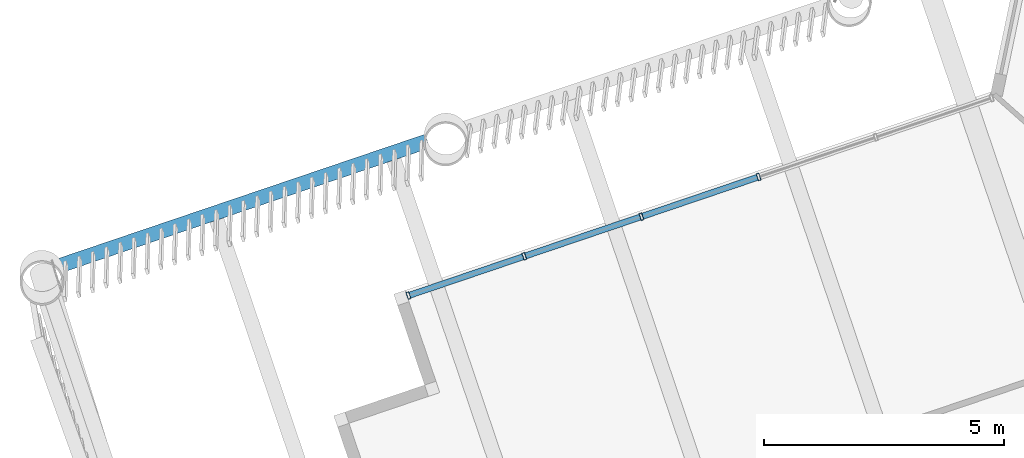
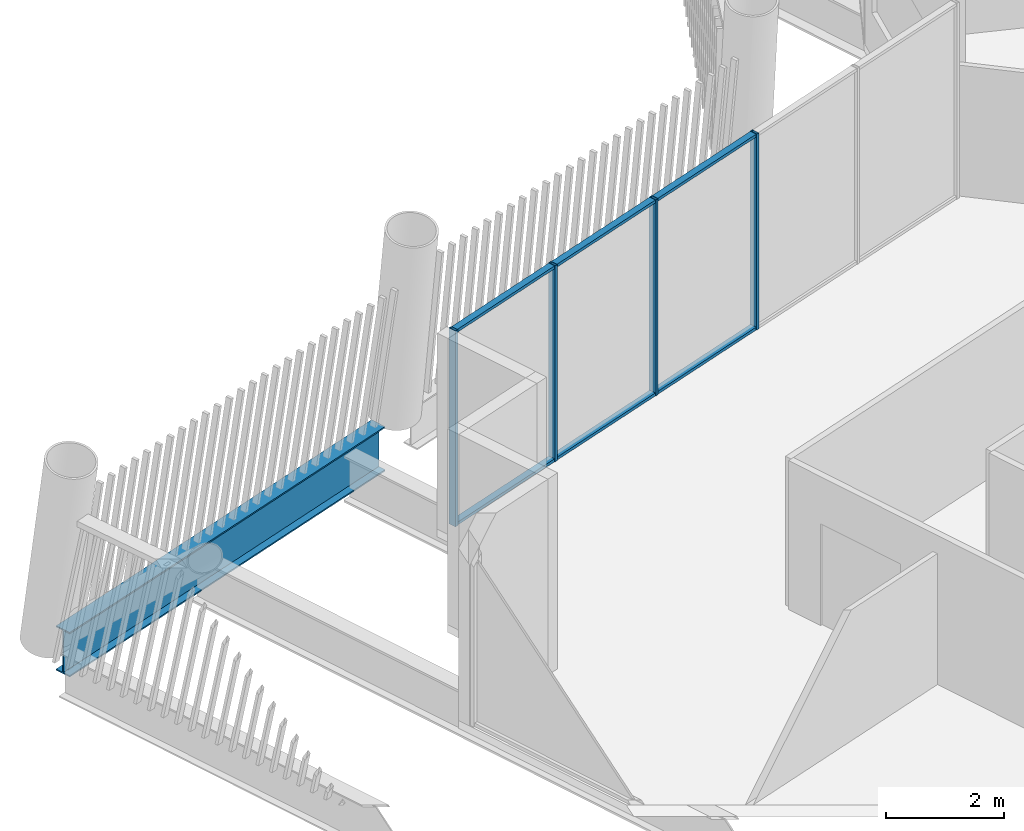
# One storey, part 11 of 35: 10 members, 1 beam, 1 element without a shape of its own.
"""IFC4 building model written with IfcOpenShell, lengths in metres."""

import ifcopenshell
import ifcopenshell.guid

model = None  # the IFC model being written
_history = None  # IfcOwnerHistory: only IFC2X3 demands one
_inside = {}  # id of a spatial element -> (the spatial element, [elements in it])
_under = {}  # id of a project, library or spatial element -> (it, [spatial elements below it])
_declared = {}  # id of a project -> (the project, [libraries it declares])
_typed = {}  # id of a type object -> (the type object, [elements of that type])
_made_of = {}  # id of a material, layer set ... -> (it, [elements and type objects made of it])


def new_model(schema):
    """Start an empty IFC model of exactly this schema.

    Asked for "IFC4X3", IfcOpenShell would pick the latest addendum, in which some entities
    have other attributes; the version numbers below select the first issue.
    IFC2X3 requires an IfcOwnerHistory on every rooted entity: one is made here for all.
    """
    global model, _history
    if schema == "IFC4X3":
        model = ifcopenshell.file(schema_version=(4, 3, 0, 0))
    else:
        model = ifcopenshell.file(schema=schema)
    _inside.clear()
    _under.clear()
    _declared.clear()
    _typed.clear()
    _made_of.clear()
    _history = None
    if model.schema == "IFC2X3":
        org = make("IfcOrganization", Name="unknown")
        user = make(
            "IfcPersonAndOrganization",
            ThePerson=make("IfcPerson", FamilyName="unknown"),
            TheOrganization=org,
        )
        app = make(
            "IfcApplication",
            ApplicationDeveloper=org,
            Version="unknown",
            ApplicationFullName="unknown",
            ApplicationIdentifier="unknown",
        )
        _history = make(
            "IfcOwnerHistory",
            OwningUser=user,
            OwningApplication=app,
            ChangeAction="ADDED",
            CreationDate=0,
        )
    return model


def make(cls, **values):
    """One entity of the class cls with the attributes given. An attribute that is None is left unset."""
    return model.create_entity(
        cls, **{name: value for name, value in values.items() if value is not None}
    )


def rooted(cls, **values):
    """An entity with a GlobalId (a new one), such as an element, a storey or a relation."""
    return make(cls, GlobalId=ifcopenshell.guid.new(), OwnerHistory=_history, **values)


def si_unit(unit_type, name, prefix=None):
    """IfcSIUnit, for example si_unit("LENGTHUNIT", "METRE", prefix="MILLI")."""
    return make("IfcSIUnit", UnitType=unit_type, Prefix=prefix, Name=name)


def assignment(units):
    """IfcUnitAssignment: the units of a project."""
    return None if units is None else make("IfcUnitAssignment", Units=units)


def point(xyz):
    """IfcCartesianPoint."""
    return None if xyz is None else make("IfcCartesianPoint", Coordinates=xyz)


def direction(xyz):
    """IfcDirection."""
    return None if xyz is None else make("IfcDirection", DirectionRatios=xyz)


def frame(location, z_axis=None, x_axis=None):
    """IfcAxis2Placement3D, a coordinate frame: its origin and axes. An axis left out is left unset."""
    return make(
        "IfcAxis2Placement3D",
        Location=point(location),
        Axis=direction(z_axis),
        RefDirection=direction(x_axis),
    )


def frame_2d(location, x_axis=None):
    """IfcAxis2Placement2D, a coordinate frame in the plane: its origin and x axis."""
    return make(
        "IfcAxis2Placement2D", Location=point(location), RefDirection=direction(x_axis)
    )


def origin():
    """The frame at (0, 0, 0) with its axes left unset."""
    return frame((0.0, 0.0, 0.0))


def origin_2d():
    """The frame at (0, 0) in the plane with its x axis left unset."""
    return frame_2d((0.0, 0.0))


def place(relative_to, where):
    """IfcLocalPlacement: puts the frame where relative to a parent placement (None: the world)."""
    return make(
        "IfcLocalPlacement", PlacementRelTo=relative_to, RelativePlacement=where
    )


def context(
    kind, dimensions, precision=None, world=None, true_north=None, identifier=None
):
    """IfcGeometricRepresentationContext, for example the 3D "Model" context."""
    return make(
        "IfcGeometricRepresentationContext",
        ContextIdentifier=identifier,
        ContextType=kind,
        CoordinateSpaceDimension=dimensions,
        Precision=precision,
        WorldCoordinateSystem=world,
        TrueNorth=true_north,
    )


def subcontext(parent, identifier, kind, view, scale=None):
    """IfcGeometricRepresentationSubContext, for example "Body" below "Model"."""
    return make(
        "IfcGeometricRepresentationSubContext",
        ContextIdentifier=identifier,
        ContextType=kind,
        ParentContext=parent,
        TargetScale=scale,
        TargetView=view,
    )


def project(units=None, contexts=None):
    """IfcProject with its units and contexts."""
    return rooted(
        "IfcProject",
        Name="project",
        RepresentationContexts=contexts,
        UnitsInContext=assignment(units),
    )


def spatial(cls, under=None, at=None, **own):
    """A site, building, storey or space (cls), placed at a placement, below another one or the project."""
    s = rooted(cls, ObjectPlacement=at, **own)
    if under is not None:
        _under.setdefault(under.id(), (under, []))[1].append(s)
    return s


def profile(cls, at=None, kind="AREA", **sizes):
    """A parametric profile (cls). Its sizes go by their IFC names, for example OverallWidth=200.0."""
    return make(cls, ProfileType=kind, Position=at, **sizes)


def hollow_rectangle(**sizes):
    """IfcRectangleHollowProfileDef."""
    return profile("IfcRectangleHollowProfileDef", **sizes)


def i_section(**sizes):
    """IfcIShapeProfileDef."""
    return profile("IfcIShapeProfileDef", **sizes)


def extrude(swept, where, along, depth):
    """IfcExtrudedAreaSolid: the profile swept, set in the frame where, extruded along a direction by depth."""
    return make(
        "IfcExtrudedAreaSolid",
        SweptArea=swept,
        Position=where,
        ExtrudedDirection=direction(along),
        Depth=depth,
    )


def shape(context_of_items, identifier, shape_type, items):
    """IfcShapeRepresentation: the items that make up one representation, for example the "Body"."""
    return make(
        "IfcShapeRepresentation",
        ContextOfItems=context_of_items,
        RepresentationIdentifier=identifier,
        RepresentationType=shape_type,
        Items=items,
    )


def material(Name=None, Category=None):
    """IfcMaterial."""
    return make("IfcMaterial", Name=Name, Category=Category)


def layer(
    of_material, thickness, ventilated=None, Name=None, Category=None, Priority=None
):
    """IfcMaterialLayer: one layer of a wall or slab, of a material (None: an air gap)."""
    return make(
        "IfcMaterialLayer",
        Material=of_material,
        LayerThickness=thickness,
        IsVentilated=ventilated,
        Name=Name,
        Category=Category,
        Priority=Priority,
    )


def layer_set(layers, Name=None):
    """IfcMaterialLayerSet."""
    return make("IfcMaterialLayerSet", MaterialLayers=layers, LayerSetName=Name)


def material_profile(
    of_material, cross_section, Name=None, Category=None, Priority=None
):
    """IfcMaterialProfile: a cross section and its material."""
    return make(
        "IfcMaterialProfile",
        Name=Name,
        Material=of_material,
        Profile=cross_section,
        Priority=Priority,
        Category=Category,
    )


def profile_set(profiles, Name=None, composite=None):
    """IfcMaterialProfileSet."""
    return make(
        "IfcMaterialProfileSet",
        Name=Name,
        MaterialProfiles=profiles,
        CompositeProfile=composite,
    )


def made_of(thing, what):
    """Note that an element or type object is made of a material, layer set ...; save() writes the relation."""
    if what is not None:
        _made_of.setdefault(what.id(), (what, []))[1].append(thing)
    return thing


def type_object(cls, material=None, **own):
    """A type object (cls), such as IfcWallType, which elements share."""
    return made_of(rooted(cls, **own), material)


def element(
    cls,
    number,
    at=None,
    inside=None,
    cuts=None,
    type_object=None,
    material=None,
    context=None,
    identifier="Body",
    shape_type=None,
    held_by="IfcProductDefinitionShape",
    body=None,
    shapes=None,
    **own,
):
    """One element of the class cls, such as IfcWall. Its Tag is "e" and its number.

    at: its placement. inside: the storey or other place that contains it. cuts: it is an
    opening in that element (IfcRelVoidsElement). A single representation is given by context,
    identifier, shape_type and body (its items); several are given by shapes. held_by: the class
    of the entity that holds the representations. save() writes the other relations.
    """
    e = rooted(cls, Tag="e%d" % number, ObjectPlacement=at, **own)
    if body is not None:
        shapes = [shape(context, identifier, shape_type, body)]
    if shapes is not None:
        e.Representation = make(held_by, Representations=shapes)
    if inside is not None:
        _inside.setdefault(inside.id(), (inside, []))[1].append(e)
    if cuts is not None:
        rooted(
            "IfcRelVoidsElement", RelatingBuildingElement=cuts, RelatedOpeningElement=e
        )
    if type_object is not None:
        _typed.setdefault(type_object.id(), (type_object, []))[1].append(e)
    return made_of(e, material)


def aggregate(whole, parts):
    """IfcRelAggregates: a whole, such as a stair, and the parts it consists of."""
    return rooted("IfcRelAggregates", RelatingObject=whole, RelatedObjects=parts)


def save(model, path):
    """Write the relations noted so far, then the file.

    IfcRelAggregates (storeys below a building ...), IfcRelContainedInSpatialStructure (elements
    in a storey), IfcRelDefinesByType, IfcRelAssociatesMaterial and IfcRelDeclares: one each for
    every whole, place, type object, material and project.
    """
    for whole, parts in _under.values():
        aggregate(whole, parts)
    for where, things in _inside.values():
        rooted(
            "IfcRelContainedInSpatialStructure",
            RelatedElements=things,
            RelatingStructure=where,
        )
    for kind, things in _typed.values():
        rooted("IfcRelDefinesByType", RelatedObjects=things, RelatingType=kind)
    for what, things in _made_of.values():
        rooted("IfcRelAssociatesMaterial", RelatedObjects=things, RelatingMaterial=what)
    for by, libraries in _declared.values():
        rooted("IfcRelDeclares", RelatingContext=by, RelatedDefinitions=libraries)
    model.write(path)


model = new_model("IFC4")

# Units and contexts
model_context = context("Model", 3, precision=1e-05, world=origin(), true_north=direction((0.0, 1.0)))
body_context = subcontext(model_context, "Body", "Model", "MODEL_VIEW")
ifc_project = project(units=[si_unit("LENGTHUNIT", "METRE"), si_unit("AREAUNIT", "SQUARE_METRE"), si_unit("VOLUMEUNIT", "CUBIC_METRE"), si_unit("PLANEANGLEUNIT", "RADIAN"), si_unit("MASSUNIT", "GRAM", prefix="KILO")], contexts=[model_context])

# Site, building, storey
site_placement = place(None, origin())
site = spatial("IfcSite", under=ifc_project, at=site_placement, CompositionType="ELEMENT")
building_placement = place(site_placement, origin())
building = spatial("IfcBuilding", under=site, at=building_placement, Name="Tarsis Ring Headquarters", CompositionType="ELEMENT")
storey_placement = place(building_placement, frame((0.0, 0.0, 360.800048828125)))
storey = spatial("IfcBuildingStorey", under=building, at=storey_placement, Name="L85", CompositionType="ELEMENT", Elevation=360.800048828125)

# Curtain wall, members
ifc_material_1 = material(Name="Aluminium curtain wall", Category="aluminium")
ifc_layer = layer(ifc_material_1, 0.14990234375)
ifc_layer_set = layer_set([ifc_layer], Name="Curtain wall tower unit")
curtain_wall_type = type_object("IfcCurtainWallType", Name="Curtain wall tower unit", PredefinedType="NOTDEFINED", material=ifc_layer_set)
curtain_wall_placement = place(storey_placement, origin())
curtain_wall = element("IfcCurtainWall", 1, at=curtain_wall_placement, inside=storey, type_object=curtain_wall_type, Name="Curtain wall L85-31", PredefinedType="NOTDEFINED")
ifc_material_2 = material(Name="Aluminium mullion", Category="aluminium")
ifc_material_profile_1 = material_profile(ifc_material_2, hollow_rectangle(XDim=0.14990234375, YDim=0.06005859375, WallThickness=0.0048828125, at=origin_2d()), Name="RHS 150x60x5")
ifc_profile_set_1 = profile_set([ifc_material_profile_1], Name="Aluminium mullion")
member_type_1 = type_object("IfcMemberType", Name="Curtain wall mullion tower unit RHS 150x60x5", PredefinedType="MULLION", material=ifc_profile_set_1)
member_1_placement = place(storey_placement, frame((-30.338623046875, 2.25732421875, 0.0), z_axis=(0.0, 0.0, 1.0), x_axis=(0.320943632718, -0.947098297231, 0.0)))
member_1 = element("IfcMember", 2, at=member_1_placement, type_object=member_type_1, Name="CW-T mullion 3", PredefinedType="MULLION", context=body_context, shape_type="SweptSolid", body=[
    extrude(hollow_rectangle(XDim=0.14990234375, YDim=0.06005859375, WallThickness=0.0048828125, at=origin_2d()), origin(), (0.0, 0.0, 1.0), 4.0400390625),
])
member_2_placement = place(storey_placement, frame((-32.782470703125, 1.42919921875, 0.0), z_axis=(0.0, 0.0, 1.0), x_axis=(0.320943632718, -0.947098297231, 0.0)))
member_2 = element("IfcMember", 3, at=member_2_placement, type_object=member_type_1, Name="CW-T mullion 4", PredefinedType="MULLION", context=body_context, shape_type="SweptSolid", body=[
    extrude(hollow_rectangle(XDim=0.14990234375, YDim=0.06005859375, WallThickness=0.0048828125, at=origin_2d()), origin(), (0.0, 0.0, 1.0), 4.0400390625),
])
member_3_placement = place(storey_placement, frame((-35.226318359375, 0.60107421875, 0.0), z_axis=(0.0, 0.0, 1.0), x_axis=(0.320943632718, -0.947098297231, 0.0)))
member_3 = element("IfcMember", 4, at=member_3_placement, type_object=member_type_1, Name="CW-T mullion 5", PredefinedType="MULLION", context=body_context, shape_type="SweptSolid", body=[
    extrude(hollow_rectangle(XDim=0.14990234375, YDim=0.06005859375, WallThickness=0.0048828125, at=origin_2d()), origin(), (0.0, 0.0, 1.0), 4.0400390625),
])
member_4_placement = place(storey_placement, frame((-37.6416015625, -0.21728515625, 0.0), z_axis=(0.0, 0.0, 1.0), x_axis=(0.320943632718, -0.947098297231, 0.0)))
member_4 = element("IfcMember", 5, at=member_4_placement, type_object=member_type_1, Name="CW-T mullion 6", PredefinedType="MULLION", context=body_context, shape_type="SweptSolid", body=[
    extrude(hollow_rectangle(XDim=0.14990234375, YDim=0.06005859375, WallThickness=0.0048828125, at=origin_2d()), origin(), (0.0, 0.0, 1.0), 4.0400390625),
])
ifc_material_3 = material(Name="Aluminium transom", Category="aluminium")
ifc_material_profile_2 = material_profile(ifc_material_3, hollow_rectangle(XDim=0.1298828125, YDim=0.06005859375, WallThickness=0.0048828125, at=origin_2d()), Name="RHS 130x60x5")
ifc_profile_set_2 = profile_set([ifc_material_profile_2], Name="Aluminium transom")
member_type_2 = type_object("IfcMemberType", Name="Curtain wall transom tower unit RHS 130x60x5", PredefinedType="USERDEFINED", material=ifc_profile_set_2)
member_5_placement = place(storey_placement, frame((-30.3671875, 2.247802734375, 0.030029296875), z_axis=(-0.947102315171, -0.320931775612, 0.0), x_axis=(0.320931775612, -0.947102315171, 0.0)))
member_5 = element("IfcMember", 6, at=member_5_placement, type_object=member_type_2, Name="CW-T transom 3.1", ObjectType="TRANSOM", PredefinedType="USERDEFINED", context=body_context, shape_type="SweptSolid", body=[
    extrude(hollow_rectangle(XDim=0.1298828125, YDim=0.06005859375, WallThickness=0.0048828125, at=origin_2d()), origin(), (0.0, 0.0, 1.0), 2.520263671875),
])
member_6_placement = place(storey_placement, frame((-30.3671875, 2.247802734375, 4.010009765625), z_axis=(-0.947102315171, -0.320931775612, 0.0), x_axis=(0.320931775612, -0.947102315171, 0.0)))
member_6 = element("IfcMember", 7, at=member_6_placement, type_object=member_type_2, Name="CW-T transom 3.2", ObjectType="TRANSOM", PredefinedType="USERDEFINED", context=body_context, shape_type="SweptSolid", body=[
    extrude(hollow_rectangle(XDim=0.1298828125, YDim=0.06005859375, WallThickness=0.0048828125, at=origin_2d()), origin(), (0.0, 0.0, 1.0), 2.520263671875),
])
member_7_placement = place(storey_placement, frame((-32.810791015625, 1.419677734375, 0.030029296875), z_axis=(-0.947102315171, -0.320931775612, 0.0), x_axis=(0.320931775612, -0.947102315171, 0.0)))
member_7 = element("IfcMember", 8, at=member_7_placement, type_object=member_type_2, Name="CW-T transom 4.1", ObjectType="TRANSOM", PredefinedType="USERDEFINED", context=body_context, shape_type="SweptSolid", body=[
    extrude(hollow_rectangle(XDim=0.1298828125, YDim=0.06005859375, WallThickness=0.0048828125, at=origin_2d()), origin(), (0.0, 0.0, 1.0), 2.520263671875),
])
member_8_placement = place(storey_placement, frame((-32.810791015625, 1.419677734375, 4.010009765625), z_axis=(-0.947102315171, -0.320931775612, 0.0), x_axis=(0.320931775612, -0.947102315171, 0.0)))
member_8 = element("IfcMember", 9, at=member_8_placement, type_object=member_type_2, Name="CW-T transom 4.2", ObjectType="TRANSOM", PredefinedType="USERDEFINED", context=body_context, shape_type="SweptSolid", body=[
    extrude(hollow_rectangle(XDim=0.1298828125, YDim=0.06005859375, WallThickness=0.0048828125, at=origin_2d()), origin(), (0.0, 0.0, 1.0), 2.520263671875),
])
member_9_placement = place(storey_placement, frame((-35.254638671875, 0.591552734375, 0.030029296875), z_axis=(-0.947083056203, -0.320988605177, 0.0), x_axis=(0.320988605177, -0.947083056203, 0.0)))
member_9 = element("IfcMember", 10, at=member_9_placement, type_object=member_type_2, Name="CW-T transom 5.1", ObjectType="TRANSOM", PredefinedType="USERDEFINED", context=body_context, shape_type="SweptSolid", body=[
    extrude(hollow_rectangle(XDim=0.1298828125, YDim=0.06005859375, WallThickness=0.0048828125, at=origin_2d()), origin(), (0.0, 0.0, 1.0), 2.490234375),
])
member_10_placement = place(storey_placement, frame((-35.254638671875, 0.591552734375, 4.010009765625), z_axis=(-0.947083056203, -0.320988605177, 0.0), x_axis=(0.320988605177, -0.947083056203, 0.0)))
member_10 = element("IfcMember", 11, at=member_10_placement, type_object=member_type_2, Name="CW-T transom 5.2", ObjectType="TRANSOM", PredefinedType="USERDEFINED", context=body_context, shape_type="SweptSolid", body=[
    extrude(hollow_rectangle(XDim=0.1298828125, YDim=0.06005859375, WallThickness=0.0048828125, at=origin_2d()), origin(), (0.0, 0.0, 1.0), 2.490234375),
])
aggregate(curtain_wall, [member_1, member_2, member_3, member_4, member_5, member_6, member_7, member_8, member_9, member_10])

# Beam
ifc_material_4 = material(Name="Structural steel S355", Category="steel")
ifc_material_profile_3 = material_profile(ifc_material_4, i_section(OverallWidth=0.3046875, OverallDepth=0.91943359375, WebThickness=0.017333984375, FlangeThickness=0.02783203125, at=origin_2d()), Name="W36x170")
ifc_profile_set_3 = profile_set([ifc_material_profile_3], Name="Structural steel S355")
beam_type = type_object("IfcBeamType", Name="XG Ring girder W36x170", PredefinedType="BEAM", material=ifc_profile_set_3)
beam_placement = place(storey_placement, frame((-37.244140625, 3.005615234375, -0.459716796875), z_axis=(-0.94710636039, -0.320919837513, 0.0), x_axis=(0.320919837513, -0.94710636039, 0.0)))
element("IfcBeam", 12, at=beam_placement, inside=storey, type_object=beam_type, Name="Ring girder XG4", PredefinedType="BEAM", context=body_context, shape_type="SweptSolid", body=[
    extrude(i_section(OverallWidth=0.3046875, OverallDepth=0.91943359375, WebThickness=0.017333984375, FlangeThickness=0.02783203125, at=origin_2d()), origin(), (0.0, 0.0, 1.0), 8.0791015625),
])

save(model, "model.ifc")
